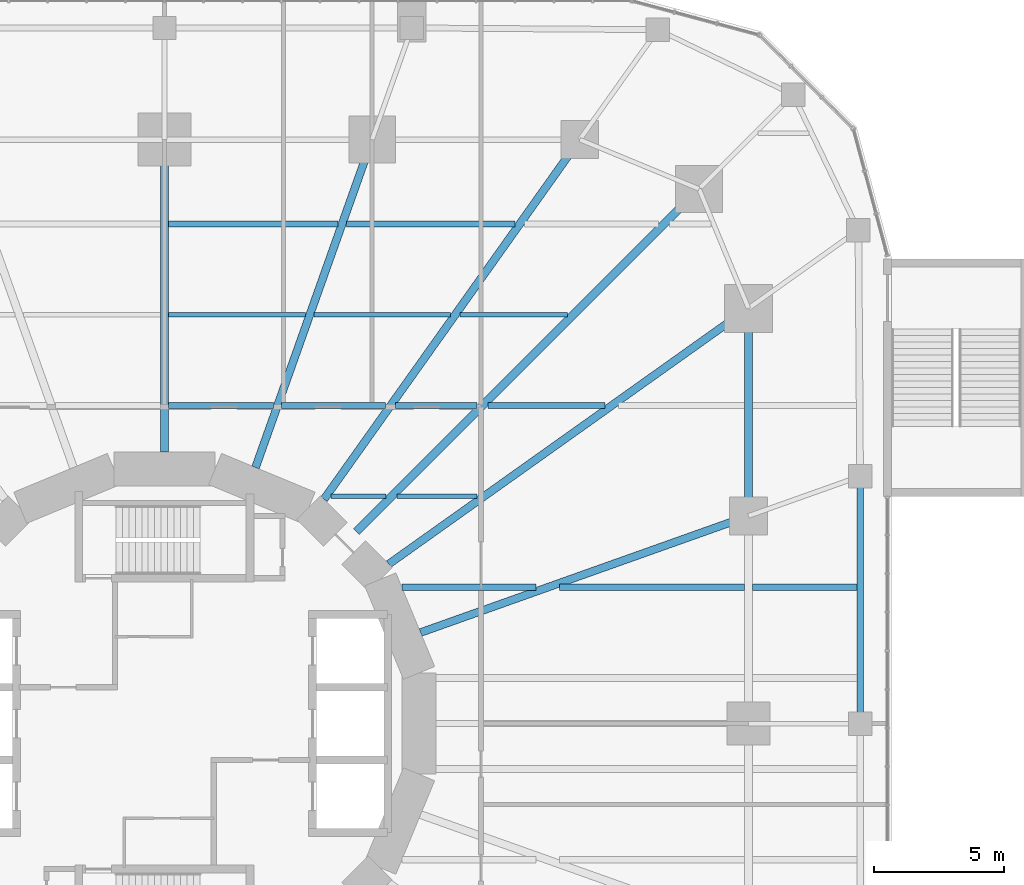
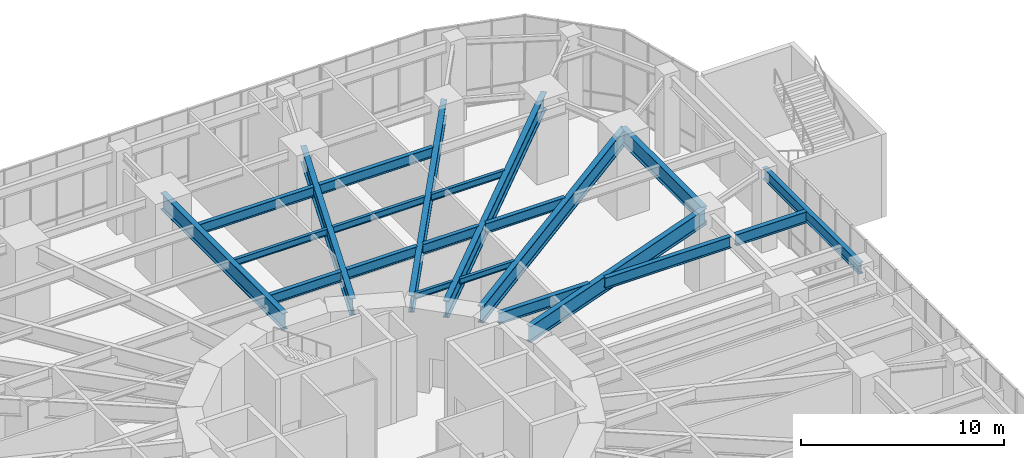
# One storey, part 12 of 24: 22 beams.
"""IFC4 building model written with IfcOpenShell, lengths in metres."""

import ifcopenshell
import ifcopenshell.guid

model = None  # the IFC model being written
_history = None  # IfcOwnerHistory: only IFC2X3 demands one
_inside = {}  # id of a spatial element -> (the spatial element, [elements in it])
_under = {}  # id of a project, library or spatial element -> (it, [spatial elements below it])
_declared = {}  # id of a project -> (the project, [libraries it declares])
_typed = {}  # id of a type object -> (the type object, [elements of that type])
_made_of = {}  # id of a material, layer set ... -> (it, [elements and type objects made of it])


def new_model(schema):
    """Start an empty IFC model of exactly this schema.

    Asked for "IFC4X3", IfcOpenShell would pick the latest addendum, in which some entities
    have other attributes; the version numbers below select the first issue.
    IFC2X3 requires an IfcOwnerHistory on every rooted entity: one is made here for all.
    """
    global model, _history
    if schema == "IFC4X3":
        model = ifcopenshell.file(schema_version=(4, 3, 0, 0))
    else:
        model = ifcopenshell.file(schema=schema)
    _inside.clear()
    _under.clear()
    _declared.clear()
    _typed.clear()
    _made_of.clear()
    _history = None
    if model.schema == "IFC2X3":
        org = make("IfcOrganization", Name="unknown")
        user = make(
            "IfcPersonAndOrganization",
            ThePerson=make("IfcPerson", FamilyName="unknown"),
            TheOrganization=org,
        )
        app = make(
            "IfcApplication",
            ApplicationDeveloper=org,
            Version="unknown",
            ApplicationFullName="unknown",
            ApplicationIdentifier="unknown",
        )
        _history = make(
            "IfcOwnerHistory",
            OwningUser=user,
            OwningApplication=app,
            ChangeAction="ADDED",
            CreationDate=0,
        )
    return model


def make(cls, **values):
    """One entity of the class cls with the attributes given. An attribute that is None is left unset."""
    return model.create_entity(
        cls, **{name: value for name, value in values.items() if value is not None}
    )


def rooted(cls, **values):
    """An entity with a GlobalId (a new one), such as an element, a storey or a relation."""
    return make(cls, GlobalId=ifcopenshell.guid.new(), OwnerHistory=_history, **values)


def si_unit(unit_type, name, prefix=None):
    """IfcSIUnit, for example si_unit("LENGTHUNIT", "METRE", prefix="MILLI")."""
    return make("IfcSIUnit", UnitType=unit_type, Prefix=prefix, Name=name)


def assignment(units):
    """IfcUnitAssignment: the units of a project."""
    return None if units is None else make("IfcUnitAssignment", Units=units)


def point(xyz):
    """IfcCartesianPoint."""
    return None if xyz is None else make("IfcCartesianPoint", Coordinates=xyz)


def direction(xyz):
    """IfcDirection."""
    return None if xyz is None else make("IfcDirection", DirectionRatios=xyz)


def frame(location, z_axis=None, x_axis=None):
    """IfcAxis2Placement3D, a coordinate frame: its origin and axes. An axis left out is left unset."""
    return make(
        "IfcAxis2Placement3D",
        Location=point(location),
        Axis=direction(z_axis),
        RefDirection=direction(x_axis),
    )


def frame_2d(location, x_axis=None):
    """IfcAxis2Placement2D, a coordinate frame in the plane: its origin and x axis."""
    return make(
        "IfcAxis2Placement2D", Location=point(location), RefDirection=direction(x_axis)
    )


def origin():
    """The frame at (0, 0, 0) with its axes left unset."""
    return frame((0.0, 0.0, 0.0))


def origin_2d():
    """The frame at (0, 0) in the plane with its x axis left unset."""
    return frame_2d((0.0, 0.0))


def place(relative_to, where):
    """IfcLocalPlacement: puts the frame where relative to a parent placement (None: the world)."""
    return make(
        "IfcLocalPlacement", PlacementRelTo=relative_to, RelativePlacement=where
    )


def context(
    kind, dimensions, precision=None, world=None, true_north=None, identifier=None
):
    """IfcGeometricRepresentationContext, for example the 3D "Model" context."""
    return make(
        "IfcGeometricRepresentationContext",
        ContextIdentifier=identifier,
        ContextType=kind,
        CoordinateSpaceDimension=dimensions,
        Precision=precision,
        WorldCoordinateSystem=world,
        TrueNorth=true_north,
    )


def subcontext(parent, identifier, kind, view, scale=None):
    """IfcGeometricRepresentationSubContext, for example "Body" below "Model"."""
    return make(
        "IfcGeometricRepresentationSubContext",
        ContextIdentifier=identifier,
        ContextType=kind,
        ParentContext=parent,
        TargetScale=scale,
        TargetView=view,
    )


def project(units=None, contexts=None):
    """IfcProject with its units and contexts."""
    return rooted(
        "IfcProject",
        Name="project",
        RepresentationContexts=contexts,
        UnitsInContext=assignment(units),
    )


def spatial(cls, under=None, at=None, **own):
    """A site, building, storey or space (cls), placed at a placement, below another one or the project."""
    s = rooted(cls, ObjectPlacement=at, **own)
    if under is not None:
        _under.setdefault(under.id(), (under, []))[1].append(s)
    return s


def profile(cls, at=None, kind="AREA", **sizes):
    """A parametric profile (cls). Its sizes go by their IFC names, for example OverallWidth=200.0."""
    return make(cls, ProfileType=kind, Position=at, **sizes)


def i_section(**sizes):
    """IfcIShapeProfileDef."""
    return profile("IfcIShapeProfileDef", **sizes)


def extrude(swept, where, along, depth):
    """IfcExtrudedAreaSolid: the profile swept, set in the frame where, extruded along a direction by depth."""
    return make(
        "IfcExtrudedAreaSolid",
        SweptArea=swept,
        Position=where,
        ExtrudedDirection=direction(along),
        Depth=depth,
    )


def shape(context_of_items, identifier, shape_type, items):
    """IfcShapeRepresentation: the items that make up one representation, for example the "Body"."""
    return make(
        "IfcShapeRepresentation",
        ContextOfItems=context_of_items,
        RepresentationIdentifier=identifier,
        RepresentationType=shape_type,
        Items=items,
    )


def material(Name=None, Category=None):
    """IfcMaterial."""
    return make("IfcMaterial", Name=Name, Category=Category)


def material_profile(
    of_material, cross_section, Name=None, Category=None, Priority=None
):
    """IfcMaterialProfile: a cross section and its material."""
    return make(
        "IfcMaterialProfile",
        Name=Name,
        Material=of_material,
        Profile=cross_section,
        Priority=Priority,
        Category=Category,
    )


def profile_set(profiles, Name=None, composite=None):
    """IfcMaterialProfileSet."""
    return make(
        "IfcMaterialProfileSet",
        Name=Name,
        MaterialProfiles=profiles,
        CompositeProfile=composite,
    )


def made_of(thing, what):
    """Note that an element or type object is made of a material, layer set ...; save() writes the relation."""
    if what is not None:
        _made_of.setdefault(what.id(), (what, []))[1].append(thing)
    return thing


def type_object(cls, material=None, **own):
    """A type object (cls), such as IfcWallType, which elements share."""
    return made_of(rooted(cls, **own), material)


def element(
    cls,
    number,
    at=None,
    inside=None,
    cuts=None,
    type_object=None,
    material=None,
    context=None,
    identifier="Body",
    shape_type=None,
    held_by="IfcProductDefinitionShape",
    body=None,
    shapes=None,
    **own,
):
    """One element of the class cls, such as IfcWall. Its Tag is "e" and its number.

    at: its placement. inside: the storey or other place that contains it. cuts: it is an
    opening in that element (IfcRelVoidsElement). A single representation is given by context,
    identifier, shape_type and body (its items); several are given by shapes. held_by: the class
    of the entity that holds the representations. save() writes the other relations.
    """
    e = rooted(cls, Tag="e%d" % number, ObjectPlacement=at, **own)
    if body is not None:
        shapes = [shape(context, identifier, shape_type, body)]
    if shapes is not None:
        e.Representation = make(held_by, Representations=shapes)
    if inside is not None:
        _inside.setdefault(inside.id(), (inside, []))[1].append(e)
    if cuts is not None:
        rooted(
            "IfcRelVoidsElement", RelatingBuildingElement=cuts, RelatedOpeningElement=e
        )
    if type_object is not None:
        _typed.setdefault(type_object.id(), (type_object, []))[1].append(e)
    return made_of(e, material)


def aggregate(whole, parts):
    """IfcRelAggregates: a whole, such as a stair, and the parts it consists of."""
    return rooted("IfcRelAggregates", RelatingObject=whole, RelatedObjects=parts)


def save(model, path):
    """Write the relations noted so far, then the file.

    IfcRelAggregates (storeys below a building ...), IfcRelContainedInSpatialStructure (elements
    in a storey), IfcRelDefinesByType, IfcRelAssociatesMaterial and IfcRelDeclares: one each for
    every whole, place, type object, material and project.
    """
    for whole, parts in _under.values():
        aggregate(whole, parts)
    for where, things in _inside.values():
        rooted(
            "IfcRelContainedInSpatialStructure",
            RelatedElements=things,
            RelatingStructure=where,
        )
    for kind, things in _typed.values():
        rooted("IfcRelDefinesByType", RelatedObjects=things, RelatingType=kind)
    for what, things in _made_of.values():
        rooted("IfcRelAssociatesMaterial", RelatedObjects=things, RelatingMaterial=what)
    for by, libraries in _declared.values():
        rooted("IfcRelDeclares", RelatingContext=by, RelatedDefinitions=libraries)
    model.write(path)


model = new_model("IFC4")

# Units and contexts
model_context = context("Model", 3, precision=1e-05, world=origin(), true_north=direction((0.0, 1.0)))
body_context = subcontext(model_context, "Body", "Model", "MODEL_VIEW")
ifc_project = project(units=[si_unit("LENGTHUNIT", "METRE"), si_unit("AREAUNIT", "SQUARE_METRE"), si_unit("VOLUMEUNIT", "CUBIC_METRE"), si_unit("PLANEANGLEUNIT", "RADIAN"), si_unit("MASSUNIT", "GRAM", prefix="KILO")], contexts=[model_context])

# Site, building, storey
site_placement = place(None, origin())
site = spatial("IfcSite", under=ifc_project, at=site_placement, CompositionType="ELEMENT")
building_placement = place(site_placement, origin())
building = spatial("IfcBuilding", under=site, at=building_placement, Name="Nakasero Lantern House", CompositionType="ELEMENT")
storey_placement = place(building_placement, frame((0.0, 0.0, 6.0)))
storey = spatial("IfcBuildingStorey", under=building, at=storey_placement, Name="L01", CompositionType="ELEMENT", Elevation=6.0)

# Beams
ifc_material_1 = material(Name="Steel S355", Category="steel")
ifc_material_profile_1 = material_profile(ifc_material_1, i_section(OverallWidth=0.17138671875, OverallDepth=0.35498046875, WebThickness=0.00732421875, FlangeThickness=0.011474609375, FilletRadius=0.01025390625, at=origin_2d()), Name="UB 356x171x51")
ifc_profile_set_1 = profile_set([ifc_material_profile_1], Name="Steel S355")
beam_type_1 = type_object("IfcBeamType", Name="Infill beam UB 356x171x51", PredefinedType="JOIST", material=ifc_profile_set_1)
beam_1_placement = place(storey_placement, frame((6.40966796875, 8.75, 4.62255859375), z_axis=(1.0, 0.0, 0.0), x_axis=(0.0, 1.0, 0.0)))
element("IfcBeam", 1, at=beam_1_placement, inside=storey, type_object=beam_type_1, Name="Infill beam L02 11.3", PredefinedType="JOIST", context=body_context, shape_type="SweptSolid", body=[
    extrude(i_section(OverallWidth=0.17138671875, OverallDepth=0.35498046875, WebThickness=0.00732421875, FlangeThickness=0.011474609375, FilletRadius=0.01025390625, at=origin_2d()), origin(), (0.0, 0.0, 1.0), 2.124267578125),
])
beam_2_placement = place(storey_placement, frame((8.966064453125, 8.75, 4.62255859375), z_axis=(1.0, 0.0, 0.0), x_axis=(0.0, 1.0, 0.0)))
element("IfcBeam", 2, at=beam_2_placement, inside=storey, type_object=beam_type_1, Name="Infill beam L02 11.4", PredefinedType="JOIST", context=body_context, shape_type="SweptSolid", body=[
    extrude(i_section(OverallWidth=0.17138671875, OverallDepth=0.35498046875, WebThickness=0.00732421875, FlangeThickness=0.011474609375, FilletRadius=0.01025390625, at=origin_2d()), origin(), (0.0, 0.0, 1.0), 3.0771484375),
])
ifc_material_2 = material(Name="Steel S355", Category="steel")
ifc_material_profile_2 = material_profile(ifc_material_2, i_section(OverallWidth=0.177978515625, OverallDepth=0.406494140625, WebThickness=0.0078125, FlangeThickness=0.0126953125, FilletRadius=0.01025390625, at=origin_2d()), Name="UB 406x178x60")
ifc_profile_set_2 = profile_set([ifc_material_profile_2], Name="Steel S355")
beam_type_2 = type_object("IfcBeamType", Name="Infill beam UB 406x178x60", PredefinedType="JOIST", material=ifc_profile_set_2)
beam_3_placement = place(storey_placement, frame((0.14990234375, 15.75, 4.5966796875), z_axis=(1.0, 0.0, 0.0), x_axis=(0.0, 1.0, 0.0)))
element("IfcBeam", 3, at=beam_3_placement, inside=storey, type_object=beam_type_2, Name="Infill beam L02 13.4", PredefinedType="JOIST", context=body_context, shape_type="SweptSolid", body=[
    extrude(i_section(OverallWidth=0.177978515625, OverallDepth=0.406494140625, WebThickness=0.0078125, FlangeThickness=0.0126953125, FilletRadius=0.01025390625, at=origin_2d()), origin(), (0.0, 0.0, 1.0), 5.289794921875),
])
beam_4_placement = place(storey_placement, frame((5.76025390625, 15.75, 4.5966796875), z_axis=(1.0, 0.0, 0.0), x_axis=(0.0, 1.0, 0.0)))
element("IfcBeam", 4, at=beam_4_placement, inside=storey, type_object=beam_type_2, Name="Infill beam L02 13.5", PredefinedType="JOIST", context=body_context, shape_type="SweptSolid", body=[
    extrude(i_section(OverallWidth=0.177978515625, OverallDepth=0.406494140625, WebThickness=0.0078125, FlangeThickness=0.0126953125, FilletRadius=0.01025390625, at=origin_2d()), origin(), (0.0, 0.0, 1.0), 5.25244140625),
])
beam_5_placement = place(storey_placement, frame((11.387451171875, 15.75, 4.5966796875), z_axis=(1.0, 0.0, 0.0), x_axis=(0.0, 1.0, 0.0)))
element("IfcBeam", 5, at=beam_5_placement, inside=storey, type_object=beam_type_2, Name="Infill beam L02 13.6", PredefinedType="JOIST", context=body_context, shape_type="SweptSolid", body=[
    extrude(i_section(OverallWidth=0.177978515625, OverallDepth=0.406494140625, WebThickness=0.0078125, FlangeThickness=0.0126953125, FilletRadius=0.01025390625, at=origin_2d()), origin(), (0.0, 0.0, 1.0), 4.146484375),
])
ifc_material_3 = material(Name="Steel S355", Category="steel")
ifc_material_profile_3 = material_profile(ifc_material_3, i_section(OverallWidth=0.22900390625, OverallDepth=0.6123046875, WebThickness=0.011962890625, FlangeThickness=0.01953125, FilletRadius=0.0126953125, at=origin_2d()), Name="UB 610x229x125")
ifc_profile_set_3 = profile_set([ifc_material_profile_3], Name="Steel S355")
beam_type_3 = type_object("IfcBeamType", Name="Infill beam UB 610x229x125", PredefinedType="JOIST", material=ifc_profile_set_3)
beam_6_placement = place(storey_placement, frame((0.14990234375, 12.25, 4.493896484375), z_axis=(1.0, 0.0, 0.0), x_axis=(0.0, 1.0, 0.0)))
element("IfcBeam", 6, at=beam_6_placement, inside=storey, type_object=beam_type_3, Name="Infill beam L02 12.7", PredefinedType="JOIST", context=body_context, shape_type="SweptSolid", body=[
    extrude(i_section(OverallWidth=0.22900390625, OverallDepth=0.6123046875, WebThickness=0.011962890625, FlangeThickness=0.01953125, FilletRadius=0.0126953125, at=origin_2d()), origin(), (0.0, 0.0, 1.0), 4.04541015625),
])
beam_7_placement = place(storey_placement, frame((4.515869140625, 12.25, 4.493896484375), z_axis=(1.0, 0.0, 0.0), x_axis=(0.0, 1.0, 0.0)))
element("IfcBeam", 7, at=beam_7_placement, inside=storey, type_object=beam_type_3, Name="Infill beam L02 12.8", PredefinedType="JOIST", context=body_context, shape_type="SweptSolid", body=[
    extrude(i_section(OverallWidth=0.22900390625, OverallDepth=0.6123046875, WebThickness=0.011962890625, FlangeThickness=0.01953125, FilletRadius=0.0126953125, at=origin_2d()), origin(), (0.0, 0.0, 1.0), 4.0078125),
])
beam_8_placement = place(storey_placement, frame((8.8984375, 12.25, 4.493896484375), z_axis=(1.0, 0.0, 0.0), x_axis=(0.0, 1.0, 0.0)))
element("IfcBeam", 8, at=beam_8_placement, inside=storey, type_object=beam_type_3, Name="Infill beam L02 12.9", PredefinedType="JOIST", context=body_context, shape_type="SweptSolid", body=[
    extrude(i_section(OverallWidth=0.22900390625, OverallDepth=0.6123046875, WebThickness=0.011962890625, FlangeThickness=0.01953125, FilletRadius=0.0126953125, at=origin_2d()), origin(), (0.0, 0.0, 1.0), 3.135498046875),
])
beam_9_placement = place(storey_placement, frame((12.466064453125, 12.25, 4.493896484375), z_axis=(1.0, 0.0, 0.0), x_axis=(0.0, 1.0, 0.0)))
element("IfcBeam", 9, at=beam_9_placement, inside=storey, type_object=beam_type_3, Name="Infill beam L02 12.10", PredefinedType="JOIST", context=body_context, shape_type="SweptSolid", body=[
    extrude(i_section(OverallWidth=0.22900390625, OverallDepth=0.6123046875, WebThickness=0.011962890625, FlangeThickness=0.01953125, FilletRadius=0.0126953125, at=origin_2d()), origin(), (0.0, 0.0, 1.0), 4.4990234375),
])
beam_10_placement = place(storey_placement, frame((0.14990234375, 19.25, 4.493896484375), z_axis=(1.0, 0.0, 0.0), x_axis=(0.0, 1.0, 0.0)))
element("IfcBeam", 10, at=beam_10_placement, inside=storey, type_object=beam_type_3, Name="Infill beam L02 14.5", PredefinedType="JOIST", context=body_context, shape_type="SweptSolid", body=[
    extrude(i_section(OverallWidth=0.22900390625, OverallDepth=0.6123046875, WebThickness=0.011962890625, FlangeThickness=0.01953125, FilletRadius=0.0126953125, at=origin_2d()), origin(), (0.0, 0.0, 1.0), 6.5341796875),
])
beam_11_placement = place(storey_placement, frame((7.004638671875, 19.25, 4.493896484375), z_axis=(1.0, 0.0, 0.0), x_axis=(0.0, 1.0, 0.0)))
element("IfcBeam", 11, at=beam_11_placement, inside=storey, type_object=beam_type_3, Name="Infill beam L02 14.6", PredefinedType="JOIST", context=body_context, shape_type="SweptSolid", body=[
    extrude(i_section(OverallWidth=0.22900390625, OverallDepth=0.6123046875, WebThickness=0.011962890625, FlangeThickness=0.01953125, FilletRadius=0.0126953125, at=origin_2d()), origin(), (0.0, 0.0, 1.0), 6.496826171875),
])
ifc_material_4 = material(Name="Steel S355", Category="steel")
ifc_material_profile_4 = material_profile(ifc_material_4, i_section(OverallWidth=0.253662109375, OverallDepth=0.68359375, WebThickness=0.012451171875, FlangeThickness=0.01904296875, FilletRadius=0.01513671875, at=origin_2d()), Name="UB 686x254x140")
ifc_profile_set_4 = profile_set([ifc_material_profile_4], Name="Steel S355")
beam_type_4 = type_object("IfcBeamType", Name="Infill beam UB 686x254x140", PredefinedType="JOIST", material=ifc_profile_set_4)
beam_12_placement = place(storey_placement, frame((9.144775390625, 5.25, 4.458251953125), z_axis=(1.0, 0.0, 0.0), x_axis=(0.0, 1.0, 0.0)))
element("IfcBeam", 12, at=beam_12_placement, inside=storey, type_object=beam_type_4, Name="Infill beam L02 10.4", PredefinedType="JOIST", context=body_context, shape_type="SweptSolid", body=[
    extrude(i_section(OverallWidth=0.253662109375, OverallDepth=0.68359375, WebThickness=0.012451171875, FlangeThickness=0.01904296875, FilletRadius=0.01513671875, at=origin_2d()), origin(), (0.0, 0.0, 1.0), 5.173095703125),
])
beam_13_placement = place(storey_placement, frame((15.21337890625, 5.25, 4.458251953125), z_axis=(1.0, 0.0, 0.0), x_axis=(0.0, 1.0, 0.0)))
element("IfcBeam", 13, at=beam_13_placement, inside=storey, type_object=beam_type_4, Name="Infill beam L02 10.5", PredefinedType="JOIST", context=body_context, shape_type="SweptSolid", body=[
    extrude(i_section(OverallWidth=0.253662109375, OverallDepth=0.68359375, WebThickness=0.012451171875, FlangeThickness=0.01904296875, FilletRadius=0.01513671875, at=origin_2d()), origin(), (0.0, 0.0, 1.0), 7.140380859375),
])
beam_14_placement = place(storey_placement, frame((22.646240234375, 5.25, 4.458251953125), z_axis=(1.0, 0.0, 0.0), x_axis=(0.0, 1.0, 0.0)))
element("IfcBeam", 14, at=beam_14_placement, inside=storey, type_object=beam_type_4, Name="Infill beam L02 10.6", PredefinedType="JOIST", context=body_context, shape_type="SweptSolid", body=[
    extrude(i_section(OverallWidth=0.253662109375, OverallDepth=0.68359375, WebThickness=0.012451171875, FlangeThickness=0.01904296875, FilletRadius=0.01513671875, at=origin_2d()), origin(), (0.0, 0.0, 1.0), 4.02587890625),
])
ifc_material_5 = material(Name="Steel S355", Category="steel")
ifc_material_profile_5 = material_profile(ifc_material_5, i_section(OverallWidth=0.300048828125, OverallDepth=0.97998046875, WebThickness=0.0166015625, FlangeThickness=0.02587890625, FilletRadius=0.030029296875, at=origin_2d()), Name="UB 1016x305x249")
ifc_profile_set_5 = profile_set([ifc_material_profile_5], Name="Steel S355")
beam_type_5 = type_object("IfcBeamType", Name="Primary beam UB 1016x305x249, span 12 to 15 m", PredefinedType="BEAM", material=ifc_profile_set_5)
beam_15_placement = place(storey_placement, frame((22.5, 8.0, 4.31005859375), z_axis=(-0.942214307118, -0.335010745293, 0.0), x_axis=(0.335010745293, -0.942214307118, 0.0)))
element("IfcBeam", 15, at=beam_15_placement, inside=storey, type_object=beam_type_5, Name="Primary beam L02 B1-C04", PredefinedType="BEAM", context=body_context, shape_type="SweptSolid", body=[
    extrude(i_section(OverallWidth=0.300048828125, OverallDepth=0.97998046875, WebThickness=0.0166015625, FlangeThickness=0.02587890625, FilletRadius=0.030029296875, at=origin_2d()), origin(), (0.0, 0.0, 1.0), 13.408447265625),
])
ifc_material_6 = material(Name="Steel S355", Category="steel")
ifc_material_profile_6 = material_profile(ifc_material_6, i_section(OverallWidth=0.300048828125, OverallDepth=1.0, WebThickness=0.01904296875, FlangeThickness=0.035888671875, FilletRadius=0.030029296875, at=origin_2d()), Name="UB 1016x305x314")
ifc_profile_set_6 = profile_set([ifc_material_profile_6], Name="Steel S355")
beam_type_6 = type_object("IfcBeamType", Name="Primary beam UB 1016x305x314, span 12 to 15 m", PredefinedType="BEAM", material=ifc_profile_set_6)
beam_16_placement = place(storey_placement, frame((0.0, 22.5, 4.300048828125), z_axis=(0.0, -1.0, 0.0), x_axis=(1.0, 0.0, 0.0)))
element("IfcBeam", 16, at=beam_16_placement, inside=storey, type_object=beam_type_6, Name="Primary beam L02 B1-C09", PredefinedType="BEAM", context=body_context, shape_type="SweptSolid", body=[
    extrude(i_section(OverallWidth=0.300048828125, OverallDepth=1.0, WebThickness=0.01904296875, FlangeThickness=0.035888671875, FilletRadius=0.030029296875, at=origin_2d()), origin(), (0.0, 0.0, 1.0), 12.042236328125),
])
ifc_material_7 = material(Name="Steel S355", Category="steel")
ifc_material_profile_7 = material_profile(ifc_material_7, i_section(OverallWidth=0.302001953125, OverallDepth=1.008056640625, WebThickness=0.02099609375, FlangeThickness=0.0400390625, FilletRadius=0.030029296875, at=origin_2d()), Name="UB 1016x305x349")
ifc_profile_set_7 = profile_set([ifc_material_profile_7], Name="Steel S355")
beam_type_7 = type_object("IfcBeamType", Name="Primary beam UB 1016x305x349, span 12 to 15 m", PredefinedType="BEAM", material=ifc_profile_set_7)
beam_17_placement = place(storey_placement, frame((8.0, 22.5, 4.2958984375), z_axis=(-0.335010745293, -0.942214307118, 0.0), x_axis=(0.942214307118, -0.335010745293, 0.0)))
element("IfcBeam", 17, at=beam_17_placement, inside=storey, type_object=beam_type_7, Name="Primary beam L02 B1-C08", PredefinedType="BEAM", context=body_context, shape_type="SweptSolid", body=[
    extrude(i_section(OverallWidth=0.302001953125, OverallDepth=1.008056640625, WebThickness=0.02099609375, FlangeThickness=0.0400390625, FilletRadius=0.030029296875, at=origin_2d()), origin(), (0.0, 0.0, 1.0), 13.408447265625),
])
ifc_material_8 = material(Name="Steel S355", Category="steel")
ifc_material_profile_8 = material_profile(ifc_material_8, i_section(OverallWidth=0.302978515625, OverallDepth=1.015869140625, WebThickness=0.0244140625, FlangeThickness=0.0439453125, FilletRadius=0.030029296875, at=origin_2d()), Name="UB 1016x305x393")
ifc_profile_set_8 = profile_set([ifc_material_profile_8], Name="Steel S355")
beam_type_8 = type_object("IfcBeamType", Name="Primary beam UB 1016x305x393, span over 15 m", PredefinedType="BEAM", material=ifc_profile_set_8)
beam_18_placement = place(storey_placement, frame((22.5, 16.0, 4.2919921875), z_axis=(-0.814952159915, -0.579528236629, 0.0), x_axis=(0.579528236629, -0.814952159915, 0.0)))
element("IfcBeam", 18, at=beam_18_placement, inside=storey, type_object=beam_type_8, Name="Primary beam L02 B1-C05", PredefinedType="BEAM", context=body_context, shape_type="SweptSolid", body=[
    extrude(i_section(OverallWidth=0.302978515625, OverallDepth=1.015869140625, WebThickness=0.0244140625, FlangeThickness=0.0439453125, FilletRadius=0.030029296875, at=origin_2d()), origin(), (0.0, 0.0, 1.0), 17.003173828125),
])
ifc_material_9 = material(Name="Steel S355", Category="steel")
ifc_material_profile_9 = material_profile(ifc_material_9, i_section(OverallWidth=0.305419921875, OverallDepth=1.026123046875, WebThickness=0.02685546875, FlangeThickness=0.049072265625, FilletRadius=0.030029296875, at=origin_2d()), Name="UB 1016x305x437")
ifc_profile_set_9 = profile_set([ifc_material_profile_9], Name="Steel S355")
beam_type_9 = type_object("IfcBeamType", Name="Primary beam UB 1016x305x437, span over 15 m", PredefinedType="BEAM", material=ifc_profile_set_9)
beam_19_placement = place(storey_placement, frame((20.59619140625, 20.59619140625, 4.286865234375), z_axis=(-0.707106781187, -0.707106781187, 0.0), x_axis=(0.707106781187, -0.707106781187, 0.0)))
element("IfcBeam", 19, at=beam_19_placement, inside=storey, type_object=beam_type_9, Name="Primary beam L02 B1-C06", PredefinedType="BEAM", context=body_context, shape_type="SweptSolid", body=[
    extrude(i_section(OverallWidth=0.305419921875, OverallDepth=1.026123046875, WebThickness=0.02685546875, FlangeThickness=0.049072265625, FilletRadius=0.030029296875, at=origin_2d()), origin(), (0.0, 0.0, 1.0), 18.669677734375),
])
beam_20_placement = place(storey_placement, frame((16.0, 22.5, 4.286865234375), z_axis=(-0.579528236629, -0.814952159915, 0.0), x_axis=(0.814952159915, -0.579528236629, 0.0)))
element("IfcBeam", 20, at=beam_20_placement, inside=storey, type_object=beam_type_9, Name="Primary beam L02 B1-C07", PredefinedType="BEAM", context=body_context, shape_type="SweptSolid", body=[
    extrude(i_section(OverallWidth=0.305419921875, OverallDepth=1.026123046875, WebThickness=0.02685546875, FlangeThickness=0.049072265625, FilletRadius=0.030029296875, at=origin_2d()), origin(), (0.0, 0.0, 1.0), 17.003173828125),
])
ifc_material_10 = material(Name="Steel S355", Category="steel")
ifc_material_profile_10 = material_profile(ifc_material_10, i_section(OverallWidth=0.300048828125, OverallDepth=0.97021484375, WebThickness=0.01611328125, FlangeThickness=0.02099609375, FilletRadius=0.030029296875, at=origin_2d()), Name="UB 1016x305x222")
ifc_profile_set_10 = profile_set([ifc_material_profile_10], Name="Steel S355")
beam_type_10 = type_object("IfcBeamType", Name="Ring beam UB 1016x305x222", PredefinedType="BEAM", material=ifc_profile_set_10)
beam_21_placement = place(storey_placement, frame((22.5, 8.0, 4.31494140625), z_axis=(0.0, 1.0, 0.0), x_axis=(-1.0, 0.0, 0.0)))
element("IfcBeam", 21, at=beam_21_placement, inside=storey, type_object=beam_type_10, Name="Ring beam L02 B1-C04", PredefinedType="BEAM", context=body_context, shape_type="SweptSolid", body=[
    extrude(i_section(OverallWidth=0.300048828125, OverallDepth=0.97021484375, WebThickness=0.01611328125, FlangeThickness=0.02099609375, FilletRadius=0.030029296875, at=origin_2d()), origin(), (0.0, 0.0, 1.0), 8.0),
])
ifc_material_11 = material(Name="Steel S355", Category="steel")
ifc_material_profile_11 = material_profile(ifc_material_11, i_section(OverallWidth=0.255859375, OverallDepth=0.69287109375, WebThickness=0.014404296875, FlangeThickness=0.023681640625, FilletRadius=0.01513671875, at=origin_2d()), Name="UB 686x254x170")
ifc_profile_set_11 = profile_set([ifc_material_profile_11], Name="Steel S355")
beam_type_11 = type_object("IfcBeamType", Name="Ring beam UB 686x254x170", PredefinedType="BEAM", material=ifc_profile_set_11)
beam_22_placement = place(storey_placement, frame((26.800048828125, 0.0, 4.45361328125), z_axis=(0.0, 1.0, 0.0), x_axis=(-1.0, 0.0, 0.0)))
element("IfcBeam", 22, at=beam_22_placement, inside=storey, type_object=beam_type_11, Name="Ring beam L02 POD-C03", PredefinedType="BEAM", context=body_context, shape_type="SweptSolid", body=[
    extrude(i_section(OverallWidth=0.255859375, OverallDepth=0.69287109375, WebThickness=0.014404296875, FlangeThickness=0.023681640625, FilletRadius=0.01513671875, at=origin_2d()), origin(), (0.0, 0.0, 1.0), 9.52880859375),
])

save(model, "model.ifc")
